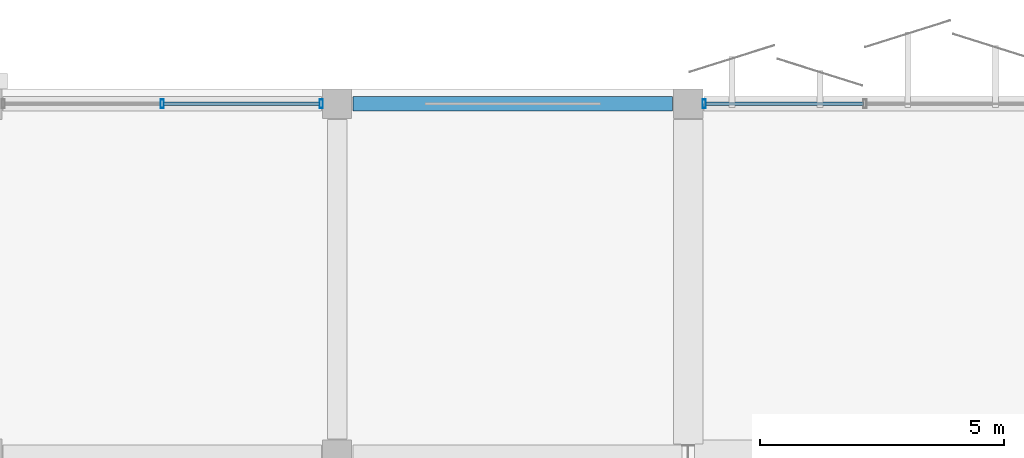
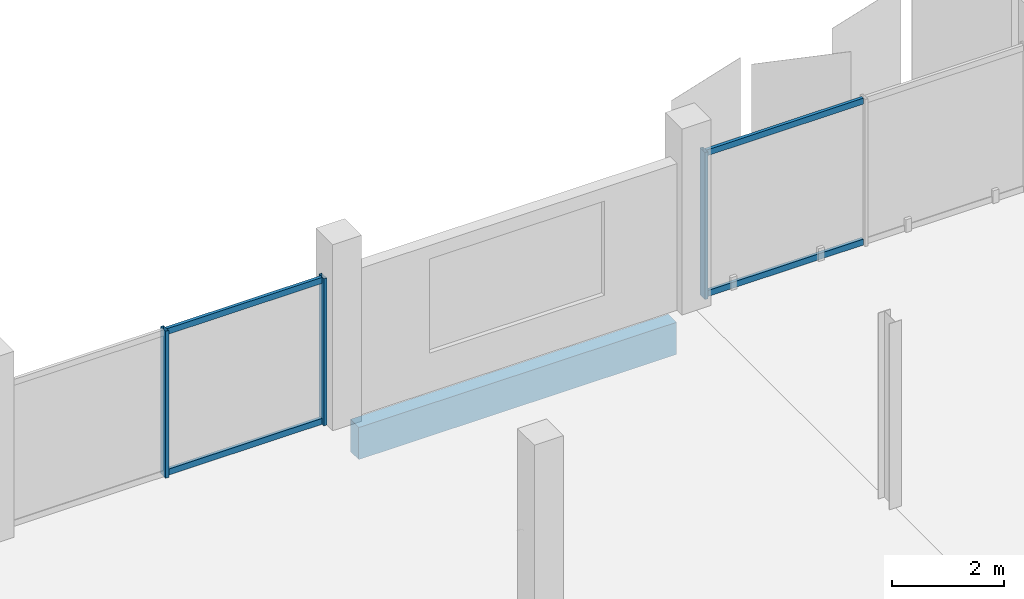
# One storey, part 37 of 107: 7 members, 1 beam, 2 elements without a shape of their own.
"""IFC4 building model written with IfcOpenShell, lengths in metres."""

import ifcopenshell
import ifcopenshell.guid

model = None  # the IFC model being written
_history = None  # IfcOwnerHistory: only IFC2X3 demands one
_inside = {}  # id of a spatial element -> (the spatial element, [elements in it])
_under = {}  # id of a project, library or spatial element -> (it, [spatial elements below it])
_declared = {}  # id of a project -> (the project, [libraries it declares])
_typed = {}  # id of a type object -> (the type object, [elements of that type])
_made_of = {}  # id of a material, layer set ... -> (it, [elements and type objects made of it])


def new_model(schema):
    """Start an empty IFC model of exactly this schema.

    Asked for "IFC4X3", IfcOpenShell would pick the latest addendum, in which some entities
    have other attributes; the version numbers below select the first issue.
    IFC2X3 requires an IfcOwnerHistory on every rooted entity: one is made here for all.
    """
    global model, _history
    if schema == "IFC4X3":
        model = ifcopenshell.file(schema_version=(4, 3, 0, 0))
    else:
        model = ifcopenshell.file(schema=schema)
    _inside.clear()
    _under.clear()
    _declared.clear()
    _typed.clear()
    _made_of.clear()
    _history = None
    if model.schema == "IFC2X3":
        org = make("IfcOrganization", Name="unknown")
        user = make(
            "IfcPersonAndOrganization",
            ThePerson=make("IfcPerson", FamilyName="unknown"),
            TheOrganization=org,
        )
        app = make(
            "IfcApplication",
            ApplicationDeveloper=org,
            Version="unknown",
            ApplicationFullName="unknown",
            ApplicationIdentifier="unknown",
        )
        _history = make(
            "IfcOwnerHistory",
            OwningUser=user,
            OwningApplication=app,
            ChangeAction="ADDED",
            CreationDate=0,
        )
    return model


def make(cls, **values):
    """One entity of the class cls with the attributes given. An attribute that is None is left unset."""
    return model.create_entity(
        cls, **{name: value for name, value in values.items() if value is not None}
    )


def rooted(cls, **values):
    """An entity with a GlobalId (a new one), such as an element, a storey or a relation."""
    return make(cls, GlobalId=ifcopenshell.guid.new(), OwnerHistory=_history, **values)


def si_unit(unit_type, name, prefix=None):
    """IfcSIUnit, for example si_unit("LENGTHUNIT", "METRE", prefix="MILLI")."""
    return make("IfcSIUnit", UnitType=unit_type, Prefix=prefix, Name=name)


def assignment(units):
    """IfcUnitAssignment: the units of a project."""
    return None if units is None else make("IfcUnitAssignment", Units=units)


def point(xyz):
    """IfcCartesianPoint."""
    return None if xyz is None else make("IfcCartesianPoint", Coordinates=xyz)


def direction(xyz):
    """IfcDirection."""
    return None if xyz is None else make("IfcDirection", DirectionRatios=xyz)


def frame(location, z_axis=None, x_axis=None):
    """IfcAxis2Placement3D, a coordinate frame: its origin and axes. An axis left out is left unset."""
    return make(
        "IfcAxis2Placement3D",
        Location=point(location),
        Axis=direction(z_axis),
        RefDirection=direction(x_axis),
    )


def frame_2d(location, x_axis=None):
    """IfcAxis2Placement2D, a coordinate frame in the plane: its origin and x axis."""
    return make(
        "IfcAxis2Placement2D", Location=point(location), RefDirection=direction(x_axis)
    )


def origin():
    """The frame at (0, 0, 0) with its axes left unset."""
    return frame((0.0, 0.0, 0.0))


def origin_2d():
    """The frame at (0, 0) in the plane with its x axis left unset."""
    return frame_2d((0.0, 0.0))


def place(relative_to, where):
    """IfcLocalPlacement: puts the frame where relative to a parent placement (None: the world)."""
    return make(
        "IfcLocalPlacement", PlacementRelTo=relative_to, RelativePlacement=where
    )


def context(
    kind, dimensions, precision=None, world=None, true_north=None, identifier=None
):
    """IfcGeometricRepresentationContext, for example the 3D "Model" context."""
    return make(
        "IfcGeometricRepresentationContext",
        ContextIdentifier=identifier,
        ContextType=kind,
        CoordinateSpaceDimension=dimensions,
        Precision=precision,
        WorldCoordinateSystem=world,
        TrueNorth=true_north,
    )


def subcontext(parent, identifier, kind, view, scale=None):
    """IfcGeometricRepresentationSubContext, for example "Body" below "Model"."""
    return make(
        "IfcGeometricRepresentationSubContext",
        ContextIdentifier=identifier,
        ContextType=kind,
        ParentContext=parent,
        TargetScale=scale,
        TargetView=view,
    )


def project(units=None, contexts=None):
    """IfcProject with its units and contexts."""
    return rooted(
        "IfcProject",
        Name="project",
        RepresentationContexts=contexts,
        UnitsInContext=assignment(units),
    )


def spatial(cls, under=None, at=None, **own):
    """A site, building, storey or space (cls), placed at a placement, below another one or the project."""
    s = rooted(cls, ObjectPlacement=at, **own)
    if under is not None:
        _under.setdefault(under.id(), (under, []))[1].append(s)
    return s


def profile(cls, at=None, kind="AREA", **sizes):
    """A parametric profile (cls). Its sizes go by their IFC names, for example OverallWidth=200.0."""
    return make(cls, ProfileType=kind, Position=at, **sizes)


def rectangle(**sizes):
    """IfcRectangleProfileDef."""
    return profile("IfcRectangleProfileDef", **sizes)


def hollow_rectangle(**sizes):
    """IfcRectangleHollowProfileDef."""
    return profile("IfcRectangleHollowProfileDef", **sizes)


def extrude(swept, where, along, depth):
    """IfcExtrudedAreaSolid: the profile swept, set in the frame where, extruded along a direction by depth."""
    return make(
        "IfcExtrudedAreaSolid",
        SweptArea=swept,
        Position=where,
        ExtrudedDirection=direction(along),
        Depth=depth,
    )


def shape(context_of_items, identifier, shape_type, items):
    """IfcShapeRepresentation: the items that make up one representation, for example the "Body"."""
    return make(
        "IfcShapeRepresentation",
        ContextOfItems=context_of_items,
        RepresentationIdentifier=identifier,
        RepresentationType=shape_type,
        Items=items,
    )


def material(Name=None, Category=None):
    """IfcMaterial."""
    return make("IfcMaterial", Name=Name, Category=Category)


def layer(
    of_material, thickness, ventilated=None, Name=None, Category=None, Priority=None
):
    """IfcMaterialLayer: one layer of a wall or slab, of a material (None: an air gap)."""
    return make(
        "IfcMaterialLayer",
        Material=of_material,
        LayerThickness=thickness,
        IsVentilated=ventilated,
        Name=Name,
        Category=Category,
        Priority=Priority,
    )


def layer_set(layers, Name=None):
    """IfcMaterialLayerSet."""
    return make("IfcMaterialLayerSet", MaterialLayers=layers, LayerSetName=Name)


def material_profile(
    of_material, cross_section, Name=None, Category=None, Priority=None
):
    """IfcMaterialProfile: a cross section and its material."""
    return make(
        "IfcMaterialProfile",
        Name=Name,
        Material=of_material,
        Profile=cross_section,
        Priority=Priority,
        Category=Category,
    )


def profile_set(profiles, Name=None, composite=None):
    """IfcMaterialProfileSet."""
    return make(
        "IfcMaterialProfileSet",
        Name=Name,
        MaterialProfiles=profiles,
        CompositeProfile=composite,
    )


def made_of(thing, what):
    """Note that an element or type object is made of a material, layer set ...; save() writes the relation."""
    if what is not None:
        _made_of.setdefault(what.id(), (what, []))[1].append(thing)
    return thing


def type_object(cls, material=None, **own):
    """A type object (cls), such as IfcWallType, which elements share."""
    return made_of(rooted(cls, **own), material)


def element(
    cls,
    number,
    at=None,
    inside=None,
    cuts=None,
    type_object=None,
    material=None,
    context=None,
    identifier="Body",
    shape_type=None,
    held_by="IfcProductDefinitionShape",
    body=None,
    shapes=None,
    **own,
):
    """One element of the class cls, such as IfcWall. Its Tag is "e" and its number.

    at: its placement. inside: the storey or other place that contains it. cuts: it is an
    opening in that element (IfcRelVoidsElement). A single representation is given by context,
    identifier, shape_type and body (its items); several are given by shapes. held_by: the class
    of the entity that holds the representations. save() writes the other relations.
    """
    e = rooted(cls, Tag="e%d" % number, ObjectPlacement=at, **own)
    if body is not None:
        shapes = [shape(context, identifier, shape_type, body)]
    if shapes is not None:
        e.Representation = make(held_by, Representations=shapes)
    if inside is not None:
        _inside.setdefault(inside.id(), (inside, []))[1].append(e)
    if cuts is not None:
        rooted(
            "IfcRelVoidsElement", RelatingBuildingElement=cuts, RelatedOpeningElement=e
        )
    if type_object is not None:
        _typed.setdefault(type_object.id(), (type_object, []))[1].append(e)
    return made_of(e, material)


def aggregate(whole, parts):
    """IfcRelAggregates: a whole, such as a stair, and the parts it consists of."""
    return rooted("IfcRelAggregates", RelatingObject=whole, RelatedObjects=parts)


def save(model, path):
    """Write the relations noted so far, then the file.

    IfcRelAggregates (storeys below a building ...), IfcRelContainedInSpatialStructure (elements
    in a storey), IfcRelDefinesByType, IfcRelAssociatesMaterial and IfcRelDeclares: one each for
    every whole, place, type object, material and project.
    """
    for whole, parts in _under.values():
        aggregate(whole, parts)
    for where, things in _inside.values():
        rooted(
            "IfcRelContainedInSpatialStructure",
            RelatedElements=things,
            RelatingStructure=where,
        )
    for kind, things in _typed.values():
        rooted("IfcRelDefinesByType", RelatedObjects=things, RelatingType=kind)
    for what, things in _made_of.values():
        rooted("IfcRelAssociatesMaterial", RelatedObjects=things, RelatingMaterial=what)
    for by, libraries in _declared.values():
        rooted("IfcRelDeclares", RelatingContext=by, RelatedDefinitions=libraries)
    model.write(path)


model = new_model("IFC4")

# Units and contexts
model_context = context("Model", 3, precision=1e-05, world=origin(), true_north=direction((0.0, 1.0)))
body_context = subcontext(model_context, "Body", "Model", "MODEL_VIEW")
ifc_project = project(units=[si_unit("LENGTHUNIT", "METRE"), si_unit("AREAUNIT", "SQUARE_METRE"), si_unit("VOLUMEUNIT", "CUBIC_METRE"), si_unit("PLANEANGLEUNIT", "RADIAN"), si_unit("MASSUNIT", "GRAM", prefix="KILO")], contexts=[model_context])

# Site, building, storey
site_placement = place(None, origin())
site = spatial("IfcSite", under=ifc_project, at=site_placement, CompositionType="ELEMENT")
building_placement = place(site_placement, origin())
building = spatial("IfcBuilding", under=site, at=building_placement, Name="Kangsadwip Square Police Headquarters", CompositionType="ELEMENT")
storey_placement = place(building_placement, frame((0.0, 0.0, 5.39990234375)))
storey = spatial("IfcBuildingStorey", under=building, at=storey_placement, Name="L01", CompositionType="ELEMENT", Elevation=5.39990234375)

# Curtain wall, members
ifc_material_1 = material(Name="Thermally broken anodised aluminium AW-6063-T6", Category="aluminium")
ifc_layer_1 = layer(ifc_material_1, 0.159912109375)
ifc_layer_set_1 = layer_set([ifc_layer_1], Name="Thermally broken anodised aluminium AW-6063-T6")
curtain_wall_type_1 = type_object("IfcCurtainWallType", Name="UnitisedCw6585x3200", PredefinedType="NOTDEFINED", material=ifc_layer_set_1)
curtain_wall_1_placement = place(storey_placement, origin())
curtain_wall_1 = element("IfcCurtainWall", 1, at=curtain_wall_1_placement, inside=storey, type_object=curtain_wall_type_1, Name="Curtain Wall CW-L01-0291-1152", PredefinedType="NOTDEFINED")
ifc_material_2 = material(Name="Thermally broken anodised aluminium AW-6063-T6", Category="aluminium")
ifc_material_profile_1 = material_profile(ifc_material_2, hollow_rectangle(XDim=0.06494140625, YDim=0.179931640625, WallThickness=0.00390625, at=origin_2d()), Name="CWM 180X65X4")
ifc_profile_set_1 = profile_set([ifc_material_profile_1], Name="Thermally broken anodised aluminium AW-6063-T6")
member_type_1 = type_object("IfcMemberType", Name="CwMullion160x65", PredefinedType="MULLION", material=ifc_profile_set_1)
member_1_placement = place(storey_placement, frame((32.41259765625, 115.199951171875, 0.0), z_axis=(0.0, 0.0, 1.0), x_axis=(1.0, 0.0, 0.0)))
member_1 = element("IfcMember", 2, at=member_1_placement, type_object=member_type_1, Name="CW-21 mullion 2", PredefinedType="MULLION", context=body_context, shape_type="SweptSolid", body=[
    extrude(hollow_rectangle(XDim=0.06494140625, YDim=0.179931640625, WallThickness=0.00390625, at=origin_2d()), origin(), (0.0, 0.0, 1.0), 3.2001953125),
])
member_2_placement = place(storey_placement, frame((35.672607421875, 115.199951171875, 0.0), z_axis=(0.0, 0.0, 1.0), x_axis=(1.0, 0.0, 0.0)))
member_2 = element("IfcMember", 3, at=member_2_placement, type_object=member_type_1, Name="CW-21 mullion 3", PredefinedType="MULLION", context=body_context, shape_type="SweptSolid", body=[
    extrude(hollow_rectangle(XDim=0.06494140625, YDim=0.179931640625, WallThickness=0.00390625, at=origin_2d()), origin(), (0.0, 0.0, 1.0), 3.2001953125),
])

# Curtain wall, member
ifc_material_3 = material(Name="Thermally broken anodised aluminium AW-6063-T6", Category="aluminium")
ifc_layer_2 = layer(ifc_material_3, 0.159912109375)
ifc_layer_set_2 = layer_set([ifc_layer_2], Name="Thermally broken anodised aluminium AW-6063-T6")
curtain_wall_type_2 = type_object("IfcCurtainWallType", Name="UnitisedCw6660x3200", PredefinedType="NOTDEFINED", material=ifc_layer_set_2)
curtain_wall_2_placement = place(storey_placement, origin())
curtain_wall_2 = element("IfcCurtainWall", 4, at=curtain_wall_2_placement, inside=storey, type_object=curtain_wall_type_2, Name="Curtain Wall CW-L01-0435-1152", PredefinedType="NOTDEFINED")
member_3_placement = place(storey_placement, frame((43.527587890625, 115.199951171875, 0.0), z_axis=(0.0, 0.0, 1.0), x_axis=(1.0, 0.0, 0.0)))
member_3 = element("IfcMember", 5, at=member_3_placement, type_object=member_type_1, Name="CW-22 mullion 1", PredefinedType="MULLION", context=body_context, shape_type="SweptSolid", body=[
    extrude(hollow_rectangle(XDim=0.06494140625, YDim=0.179931640625, WallThickness=0.00390625, at=origin_2d()), origin(), (0.0, 0.0, 1.0), 3.2001953125),
])

# Member
ifc_material_4 = material(Name="Thermally broken anodised aluminium AW-6063-T6", Category="aluminium")
ifc_material_profile_2 = material_profile(ifc_material_4, hollow_rectangle(XDim=0.06494140625, YDim=0.1298828125, WallThickness=0.00390625, at=origin_2d()), Name="CWT 130X65X4")
ifc_profile_set_2 = profile_set([ifc_material_profile_2], Name="Thermally broken anodised aluminium AW-6063-T6")
member_type_2 = type_object("IfcMemberType", Name="CwTransom140x60", PredefinedType="USERDEFINED", material=ifc_profile_set_2)
member_4_placement = place(storey_placement, frame((32.445068359375, 115.199951171875, 0.065185546875), z_axis=(1.0, 0.0, 0.0), x_axis=(0.0, 1.0, 0.0)))
member_4 = element("IfcMember", 6, at=member_4_placement, type_object=member_type_2, Name="CW-21 transom 2.1", ObjectType="TRANSOM", PredefinedType="USERDEFINED", context=body_context, shape_type="SweptSolid", body=[
    extrude(hollow_rectangle(XDim=0.06494140625, YDim=0.1298828125, WallThickness=0.00390625, at=origin_2d()), origin(), (0.0, 0.0, 1.0), 3.19482421875),
])

member_5_placement = place(storey_placement, frame((32.445068359375, 115.199951171875, 3.135009765625), z_axis=(1.0, 0.0, 0.0), x_axis=(0.0, 1.0, 0.0)))
member_5 = element("IfcMember", 7, at=member_5_placement, type_object=member_type_2, Name="CW-21 transom 2.2", ObjectType="TRANSOM", PredefinedType="USERDEFINED", context=body_context, shape_type="SweptSolid", body=[
    extrude(hollow_rectangle(XDim=0.06494140625, YDim=0.1298828125, WallThickness=0.00390625, at=origin_2d()), origin(), (0.0, 0.0, 1.0), 3.19482421875),
])

aggregate(curtain_wall_1, [member_1, member_2, member_4, member_5])

member_6_placement = place(storey_placement, frame((43.56005859375, 115.199951171875, 0.065185546875), z_axis=(1.0, 0.0, 0.0), x_axis=(0.0, 1.0, 0.0)))
member_6 = element("IfcMember", 8, at=member_6_placement, type_object=member_type_2, Name="CW-22 transom 1.1", ObjectType="TRANSOM", PredefinedType="USERDEFINED", context=body_context, shape_type="SweptSolid", body=[
    extrude(hollow_rectangle(XDim=0.06494140625, YDim=0.1298828125, WallThickness=0.00390625, at=origin_2d()), origin(), (0.0, 0.0, 1.0), 3.232421875),
])

member_7_placement = place(storey_placement, frame((43.56005859375, 115.199951171875, 3.135009765625), z_axis=(1.0, 0.0, 0.0), x_axis=(0.0, 1.0, 0.0)))
member_7 = element("IfcMember", 9, at=member_7_placement, type_object=member_type_2, Name="CW-22 transom 1.2", ObjectType="TRANSOM", PredefinedType="USERDEFINED", context=body_context, shape_type="SweptSolid", body=[
    extrude(hollow_rectangle(XDim=0.06494140625, YDim=0.1298828125, WallThickness=0.00390625, at=origin_2d()), origin(), (0.0, 0.0, 1.0), 3.232421875),
])

aggregate(curtain_wall_2, [member_3, member_6, member_7])

# Beam
ifc_material_5 = material(Name="Concrete M40 (40 MPa)", Category="concrete")
ifc_material_profile_3 = material_profile(ifc_material_5, rectangle(XDim=0.300048828125, YDim=0.699951171875, at=origin_2d()), Name="RC SPN 700X300")
ifc_profile_set_3 = profile_set([ifc_material_profile_3], Name="Concrete M40 (40 MPa)")
beam_type = type_object("IfcBeamType", Name="RcSpandrel700x300", PredefinedType="SPANDREL", material=ifc_profile_set_3)
beam_placement = place(storey_placement, frame((36.324951171875, 115.199951171875, -0.58984375), z_axis=(1.0, 0.0, 0.0), x_axis=(0.0, 1.0, 0.0)))
element("IfcBeam", 10, at=beam_placement, inside=storey, type_object=beam_type, Name="Beam BM-L01-X-05-16", PredefinedType="SPANDREL", context=body_context, shape_type="SweptSolid", body=[
    extrude(rectangle(XDim=0.300048828125, YDim=0.699951171875, at=origin_2d()), origin(), (0.0, 0.0, 1.0), 6.550048828125),
])

save(model, "model.ifc")
